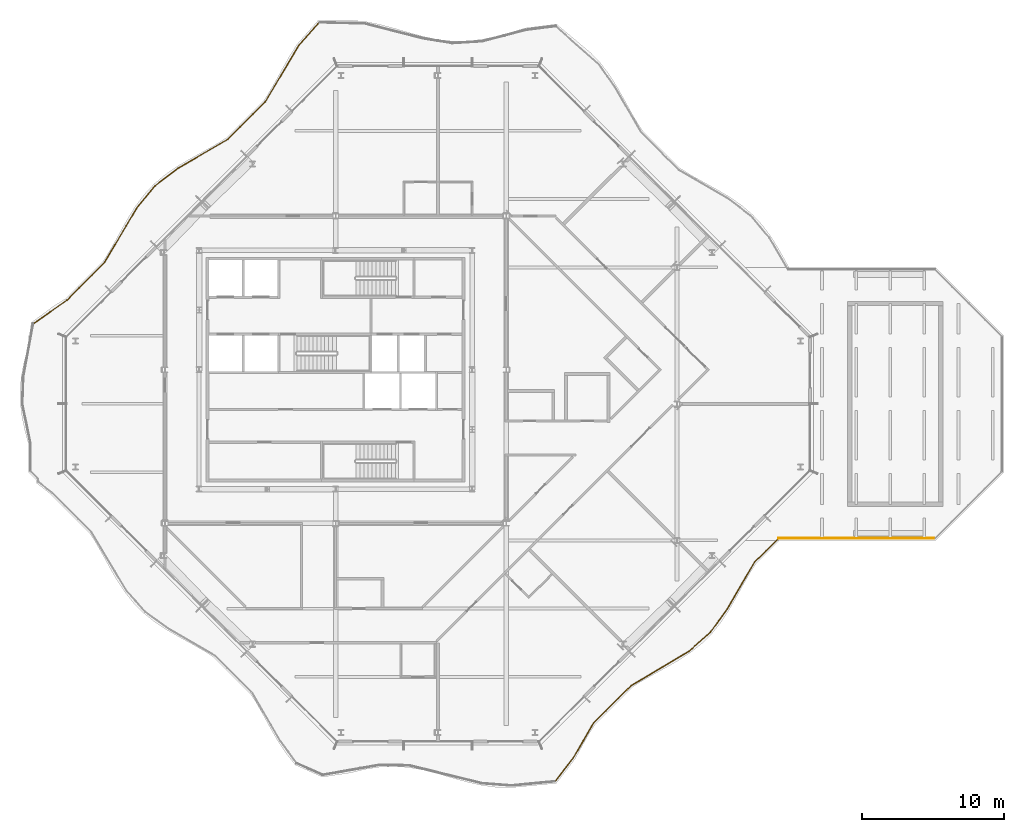
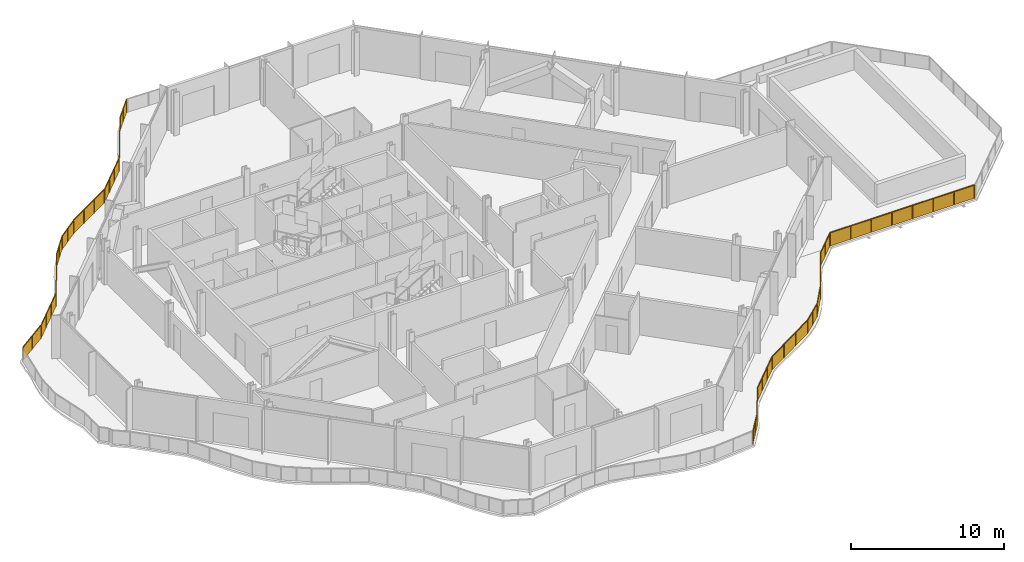
# One storey, part 14 of 16: 3 railings.
"""IFC4 building model written with IfcOpenShell, lengths in metres."""

from ifc_helpers import new_model, si_unit, direction, frame, origin, origin_2d, place, context, subcontext, project, spatial, polyline, rectangle, outline, extrude, material, type_object, element, save


model = new_model("IFC4")

# Units and contexts
model_context = context("Model", 3, precision=1e-05, world=origin(), true_north=direction((0.0, 1.0)))
body_context = subcontext(model_context, "Body", "Model", "MODEL_VIEW")
ifc_project = project(units=[si_unit("LENGTHUNIT", "METRE"), si_unit("AREAUNIT", "SQUARE_METRE"), si_unit("VOLUMEUNIT", "CUBIC_METRE"), si_unit("PLANEANGLEUNIT", "RADIAN"), si_unit("MASSUNIT", "GRAM", prefix="KILO")], contexts=[model_context])

# Site, building, storey
site_placement = place(None, origin())
site = spatial("IfcSite", under=ifc_project, at=site_placement, CompositionType="ELEMENT")
building_placement = place(site_placement, origin())
building = spatial("IfcBuilding", under=site, at=building_placement, Name="Cairn Pilgrim Tower", CompositionType="ELEMENT")
storey_placement = place(building_placement, frame((0.0, 0.0, 267.0)))
storey = spatial("IfcBuildingStorey", under=building, at=storey_placement, Name="L68", CompositionType="ELEMENT", Elevation=267.0)

# Railings
ifc_material = material(Name="Bronze anodised aluminium rail and posts with laminated glass infill", Category="aluminium")
railing_type = type_object("IfcRailingType", Name="BALCONY GUARD 1100", PredefinedType="GUARDRAIL", material=ifc_material)
railing_1_placement = place(storey_placement, frame((6.035400390625, 26.81982421875, 0.0)))
element("IfcRailing", 1, at=railing_1_placement, inside=storey, type_object=railing_type, Name="Balcony guard BG-5", PredefinedType="GUARDRAIL", context=body_context, shape_type="SweptSolid", body=[
    extrude(rectangle(XDim=0.050048828125, YDim=0.050048828125, at=origin_2d()), frame((0.0, 0.0, 1.0751953125), z_axis=(-0.663379553575, -0.748283080056, 0.0), x_axis=(0.748283080056, -0.663379553575, 0.0)), (0.0, 0.0, 1.0), 2.15673828125),
    extrude(rectangle(XDim=0.050048828125, YDim=0.050048828125, at=origin_2d()), frame((-1.4306640625, -1.61376953125, 1.0751953125), z_axis=(-0.509784944753, -0.860301871498, 0.0), x_axis=(0.860301871498, -0.509784944753, 0.0)), (0.0, 0.0, 1.0), 4.603271484375),
    extrude(rectangle(XDim=0.050048828125, YDim=0.050048828125, at=origin_2d()), frame((-3.77734375, -5.573974609375, 1.0751953125), z_axis=(-0.707139409605, -0.707074151262, 0.0), x_axis=(0.707074151262, -0.707139409605, 0.0)), (0.0, 0.0, 1.0), 3.7412109375),
    extrude(rectangle(XDim=0.050048828125, YDim=0.050048828125, at=origin_2d()), frame((-6.4228515625, -8.21923828125, 1.0751953125), z_axis=(-0.864524831158, -0.502590107653, 0.0), x_axis=(0.502590107653, -0.864524831158, 0.0)), (0.0, 0.0, 1.0), 4.0546875),
    extrude(rectangle(XDim=0.050048828125, YDim=0.050048828125, at=origin_2d()), frame((-9.92822265625, -10.257080078125, 1.0751953125), z_axis=(-0.793457200534, -0.608626051793, 0.0), x_axis=(0.608626051793, -0.793457200534, 0.0)), (0.0, 0.0, 1.0), 2.00244140625),
    extrude(rectangle(XDim=0.050048828125, YDim=0.050048828125, at=origin_2d()), frame((-11.51708984375, -11.475830078125, 1.0751953125), z_axis=(-0.64218480462, -0.766549852726, 0.0), x_axis=(0.766549852726, -0.64218480462, 0.0)), (0.0, 0.0, 1.0), 1.990478515625),
    extrude(rectangle(XDim=0.050048828125, YDim=0.050048828125, at=origin_2d()), frame((-12.79541015625, -13.001708984375, 1.0751953125), z_axis=(-0.508455670104, -0.861088167111, 0.0), x_axis=(0.861088167111, -0.508455670104, 0.0)), (0.0, 0.0, 1.0), 4.50927734375),
    extrude(rectangle(XDim=0.050048828125, YDim=0.050048828125, at=origin_2d()), frame((-15.088134765625, -16.884521484375, 1.0751953125), z_axis=(-0.707074247345, -0.707139313531, 0.0), x_axis=(0.707139313531, -0.707074247345, 0.0)), (0.0, 0.0, 1.0), 3.752197265625),
    extrude(rectangle(XDim=0.050048828125, YDim=0.050048828125, at=origin_2d()), frame((-17.7412109375, -19.537841796875, 1.0751953125), z_axis=(-0.819463062562, -0.573131999714, 0.0), x_axis=(0.573131999714, -0.819463062562, 0.0)), (0.0, 0.0, 1.0), 2.82763671875),
    extrude(rectangle(XDim=0.050048828125, YDim=0.050048828125, at=origin_2d()), origin(), (0.0, 0.0, 1.0), 1.050048828125),
    extrude(rectangle(XDim=0.050048828125, YDim=0.050048828125, at=origin_2d()), frame((-0.71533203125, -0.806884765625, 0.0)), (0.0, 0.0, 1.0), 1.050048828125),
    extrude(rectangle(XDim=0.050048828125, YDim=0.050048828125, at=origin_2d()), frame((-1.4306640625, -1.61376953125, 0.0)), (0.0, 0.0, 1.0), 1.050048828125),
    extrude(rectangle(XDim=0.050048828125, YDim=0.050048828125, at=origin_2d()), frame((-2.212890625, -2.933837890625, 0.0)), (0.0, 0.0, 1.0), 1.050048828125),
    extrude(rectangle(XDim=0.050048828125, YDim=0.050048828125, at=origin_2d()), frame((-2.9951171875, -4.25390625, 0.0)), (0.0, 0.0, 1.0), 1.050048828125),
    extrude(rectangle(XDim=0.050048828125, YDim=0.050048828125, at=origin_2d()), frame((-3.77734375, -5.573974609375, 0.0)), (0.0, 0.0, 1.0), 1.050048828125),
    extrude(rectangle(XDim=0.050048828125, YDim=0.050048828125, at=origin_2d()), frame((-4.6591796875, -6.455810546875, 0.0)), (0.0, 0.0, 1.0), 1.050048828125),
    extrude(rectangle(XDim=0.050048828125, YDim=0.050048828125, at=origin_2d()), frame((-5.541015625, -7.33740234375, 0.0)), (0.0, 0.0, 1.0), 1.050048828125),
    extrude(rectangle(XDim=0.050048828125, YDim=0.050048828125, at=origin_2d()), frame((-6.4228515625, -8.21923828125, 0.0)), (0.0, 0.0, 1.0), 1.050048828125),
    extrude(rectangle(XDim=0.050048828125, YDim=0.050048828125, at=origin_2d()), frame((-7.59130859375, -8.8984375, 0.0)), (0.0, 0.0, 1.0), 1.050048828125),
    extrude(rectangle(XDim=0.050048828125, YDim=0.050048828125, at=origin_2d()), frame((-8.759765625, -9.577880859375, 0.0)), (0.0, 0.0, 1.0), 1.050048828125),
    extrude(rectangle(XDim=0.050048828125, YDim=0.050048828125, at=origin_2d()), frame((-9.92822265625, -10.257080078125, 0.0)), (0.0, 0.0, 1.0), 1.050048828125),
    extrude(rectangle(XDim=0.050048828125, YDim=0.050048828125, at=origin_2d()), frame((-10.72265625, -10.866455078125, 0.0)), (0.0, 0.0, 1.0), 1.050048828125),
    extrude(rectangle(XDim=0.050048828125, YDim=0.050048828125, at=origin_2d()), frame((-11.51708984375, -11.475830078125, 0.0)), (0.0, 0.0, 1.0), 1.050048828125),
    extrude(rectangle(XDim=0.050048828125, YDim=0.050048828125, at=origin_2d()), frame((-12.15625, -12.23876953125, 0.0)), (0.0, 0.0, 1.0), 1.050048828125),
    extrude(rectangle(XDim=0.050048828125, YDim=0.050048828125, at=origin_2d()), frame((-12.79541015625, -13.001708984375, 0.0)), (0.0, 0.0, 1.0), 1.050048828125),
    extrude(rectangle(XDim=0.050048828125, YDim=0.050048828125, at=origin_2d()), frame((-13.5595703125, -14.2958984375, 0.0)), (0.0, 0.0, 1.0), 1.050048828125),
    extrude(rectangle(XDim=0.050048828125, YDim=0.050048828125, at=origin_2d()), frame((-14.323974609375, -15.59033203125, 0.0)), (0.0, 0.0, 1.0), 1.050048828125),
    extrude(rectangle(XDim=0.050048828125, YDim=0.050048828125, at=origin_2d()), frame((-15.088134765625, -16.884521484375, 0.0)), (0.0, 0.0, 1.0), 1.050048828125),
    extrude(rectangle(XDim=0.050048828125, YDim=0.050048828125, at=origin_2d()), frame((-15.972412109375, -17.76904296875, 0.0)), (0.0, 0.0, 1.0), 1.050048828125),
    extrude(rectangle(XDim=0.050048828125, YDim=0.050048828125, at=origin_2d()), frame((-16.85693359375, -18.6533203125, 0.0)), (0.0, 0.0, 1.0), 1.050048828125),
    extrude(rectangle(XDim=0.050048828125, YDim=0.050048828125, at=origin_2d()), frame((-17.7412109375, -19.537841796875, 0.0)), (0.0, 0.0, 1.0), 1.050048828125),
    extrude(rectangle(XDim=0.050048828125, YDim=0.050048828125, at=origin_2d()), frame((-18.89990234375, -20.34814453125, 0.0)), (0.0, 0.0, 1.0), 1.050048828125),
    extrude(rectangle(XDim=0.050048828125, YDim=0.050048828125, at=origin_2d()), frame((-20.058349609375, -21.158447265625, 0.0)), (0.0, 0.0, 1.0), 1.050048828125),
    extrude(outline(polyline([(0.02490234375, 0.0), (1.05322265625, 0.0), (1.05322265625, 1.050048828125), (0.02490234375, 1.050048828125), (0.02490234375, 0.0)])), frame((0.00439453125, -0.00390625, 0.0), z_axis=(-0.748283080056, 0.663379553575, 0.0), x_axis=(-0.663379553575, -0.748283080056, 0.0)), (0.0, 0.0, 1.0), 0.011962890625),
    extrude(outline(polyline([(0.02490234375, 0.0), (1.05322265625, 0.0), (1.05322265625, 1.050048828125), (0.02490234375, 1.050048828125), (0.02490234375, 0.0)])), frame((-0.7109375, -0.810791015625, 0.0), z_axis=(-0.748283080056, 0.663379553575, 0.0), x_axis=(-0.663379553575, -0.748283080056, 0.0)), (0.0, 0.0, 1.0), 0.011962890625),
    extrude(outline(polyline([(0.02490234375, 0.0), (1.509521484375, 0.0), (1.509521484375, 1.050048828125), (0.02490234375, 1.050048828125), (0.02490234375, 0.0)])), frame((-1.425537109375, -1.61669921875, 0.0), z_axis=(-0.860301871498, 0.509784944753, 0.0), x_axis=(-0.509784944753, -0.860301871498, 0.0)), (0.0, 0.0, 1.0), 0.011962890625),
    extrude(outline(polyline([(0.02490234375, 0.0), (1.509521484375, 0.0), (1.509521484375, 1.050048828125), (0.02490234375, 1.050048828125), (0.02490234375, 0.0)])), frame((-2.207763671875, -2.936767578125, 0.0), z_axis=(-0.860301871498, 0.509784944753, 0.0), x_axis=(-0.509784944753, -0.860301871498, 0.0)), (0.0, 0.0, 1.0), 0.011962890625),
    extrude(outline(polyline([(0.02490234375, 0.0), (1.509521484375, 0.0), (1.509521484375, 1.050048828125), (0.02490234375, 1.050048828125), (0.02490234375, 0.0)])), frame((-2.989990234375, -4.2568359375, 0.0), z_axis=(-0.860301871498, 0.509784944753, 0.0), x_axis=(-0.509784944753, -0.860301871498, 0.0)), (0.0, 0.0, 1.0), 0.011962890625),
    extrude(outline(polyline([(0.02490234375, 0.0), (1.221923828125, 0.0), (1.221923828125, 1.050048828125), (0.02490234375, 1.050048828125), (0.02490234375, 0.0)])), frame((-3.773193359375, -5.578125, 0.0), z_axis=(-0.707074151262, 0.707139409605, 0.0), x_axis=(-0.707139409605, -0.707074151262, 0.0)), (0.0, 0.0, 1.0), 0.011962890625),
    extrude(outline(polyline([(0.02490234375, 0.0), (1.221923828125, 0.0), (1.221923828125, 1.050048828125), (0.02490234375, 1.050048828125), (0.02490234375, 0.0)])), frame((-4.655029296875, -6.4599609375, 0.0), z_axis=(-0.707074151262, 0.707139409605, 0.0), x_axis=(-0.707139409605, -0.707074151262, 0.0)), (0.0, 0.0, 1.0), 0.011962890625),
    extrude(outline(polyline([(0.02490234375, 0.0), (1.221923828125, 0.0), (1.221923828125, 1.050048828125), (0.02490234375, 1.050048828125), (0.02490234375, 0.0)])), frame((-5.536865234375, -7.341796875, 0.0), z_axis=(-0.707074151262, 0.707139409605, 0.0), x_axis=(-0.707139409605, -0.707074151262, 0.0)), (0.0, 0.0, 1.0), 0.011962890625),
    extrude(outline(polyline([(0.02490234375, 0.0), (1.326416015625, 0.0), (1.326416015625, 1.050048828125), (0.02490234375, 1.050048828125), (0.02490234375, 0.0)])), frame((-6.419921875, -8.224365234375, 0.0), z_axis=(-0.502590107653, 0.864524831158, 0.0), x_axis=(-0.864524831158, -0.502590107653, 0.0)), (0.0, 0.0, 1.0), 0.011962890625),
    extrude(outline(polyline([(0.02490234375, 0.0), (1.326416015625, 0.0), (1.326416015625, 1.050048828125), (0.02490234375, 1.050048828125), (0.02490234375, 0.0)])), frame((-7.58837890625, -8.90380859375, 0.0), z_axis=(-0.502590107653, 0.864524831158, 0.0), x_axis=(-0.864524831158, -0.502590107653, 0.0)), (0.0, 0.0, 1.0), 0.011962890625),
    extrude(outline(polyline([(0.02490234375, 0.0), (1.326416015625, 0.0), (1.326416015625, 1.050048828125), (0.02490234375, 1.050048828125), (0.02490234375, 0.0)])), frame((-8.7568359375, -9.5830078125, 0.0), z_axis=(-0.502590107653, 0.864524831158, 0.0), x_axis=(-0.864524831158, -0.502590107653, 0.0)), (0.0, 0.0, 1.0), 0.011962890625),
    extrude(outline(polyline([(0.02490234375, 0.0), (0.976318359375, 0.0), (0.976318359375, 1.050048828125), (0.02490234375, 1.050048828125), (0.02490234375, 0.0)])), frame((-9.924560546875, -10.26171875, 0.0), z_axis=(-0.608626051793, 0.793457200534, 0.0), x_axis=(-0.793457200534, -0.608626051793, 0.0)), (0.0, 0.0, 1.0), 0.011962890625),
    extrude(outline(polyline([(0.02490234375, 0.0), (0.976318359375, 0.0), (0.976318359375, 1.050048828125), (0.02490234375, 1.050048828125), (0.02490234375, 0.0)])), frame((-10.718994140625, -10.87109375, 0.0), z_axis=(-0.608626051793, 0.793457200534, 0.0), x_axis=(-0.793457200534, -0.608626051793, 0.0)), (0.0, 0.0, 1.0), 0.011962890625),
    extrude(outline(polyline([(0.02490234375, 0.0), (0.97021484375, 0.0), (0.97021484375, 1.050048828125), (0.02490234375, 1.050048828125), (0.02490234375, 0.0)])), frame((-11.512451171875, -11.479736328125, 0.0), z_axis=(-0.766549852726, 0.64218480462, 0.0), x_axis=(-0.64218480462, -0.766549852726, 0.0)), (0.0, 0.0, 1.0), 0.011962890625),
    extrude(outline(polyline([(0.02490234375, 0.0), (0.97021484375, 0.0), (0.97021484375, 1.050048828125), (0.02490234375, 1.050048828125), (0.02490234375, 0.0)])), frame((-12.151611328125, -12.24267578125, 0.0), z_axis=(-0.766549852726, 0.64218480462, 0.0), x_axis=(-0.64218480462, -0.766549852726, 0.0)), (0.0, 0.0, 1.0), 0.011962890625),
    extrude(outline(polyline([(0.02490234375, 0.0), (1.47802734375, 0.0), (1.47802734375, 1.050048828125), (0.02490234375, 1.050048828125), (0.02490234375, 0.0)])), frame((-12.790283203125, -13.004638671875, 0.0), z_axis=(-0.861088167111, 0.508455670104, 0.0), x_axis=(-0.508455670104, -0.861088167111, 0.0)), (0.0, 0.0, 1.0), 0.011962890625),
    extrude(outline(polyline([(0.02490234375, 0.0), (1.47802734375, 0.0), (1.47802734375, 1.050048828125), (0.02490234375, 1.050048828125), (0.02490234375, 0.0)])), frame((-13.554443359375, -14.299072265625, 0.0), z_axis=(-0.861088167111, 0.508455670104, 0.0), x_axis=(-0.508455670104, -0.861088167111, 0.0)), (0.0, 0.0, 1.0), 0.011962890625),
    extrude(outline(polyline([(0.02490234375, 0.0), (1.47802734375, 0.0), (1.47802734375, 1.050048828125), (0.02490234375, 1.050048828125), (0.02490234375, 0.0)])), frame((-14.31884765625, -15.59326171875, 0.0), z_axis=(-0.861088167111, 0.508455670104, 0.0), x_axis=(-0.508455670104, -0.861088167111, 0.0)), (0.0, 0.0, 1.0), 0.011962890625),
    extrude(outline(polyline([(0.02490234375, 0.0), (1.2255859375, 0.0), (1.2255859375, 1.050048828125), (0.02490234375, 1.050048828125), (0.02490234375, 0.0)])), frame((-15.083984375, -16.888671875, 0.0), z_axis=(-0.707139313531, 0.707074247345, 0.0), x_axis=(-0.707074247345, -0.707139313531, 0.0)), (0.0, 0.0, 1.0), 0.011962890625),
    extrude(outline(polyline([(0.02490234375, 0.0), (1.2255859375, 0.0), (1.2255859375, 1.050048828125), (0.02490234375, 1.050048828125), (0.02490234375, 0.0)])), frame((-15.96826171875, -17.773193359375, 0.0), z_axis=(-0.707139313531, 0.707074247345, 0.0), x_axis=(-0.707074247345, -0.707139313531, 0.0)), (0.0, 0.0, 1.0), 0.011962890625),
    extrude(outline(polyline([(0.02490234375, 0.0), (1.2255859375, 0.0), (1.2255859375, 1.050048828125), (0.02490234375, 1.050048828125), (0.02490234375, 0.0)])), frame((-16.8525390625, -18.65771484375, 0.0), z_axis=(-0.707139313531, 0.707074247345, 0.0), x_axis=(-0.707074247345, -0.707139313531, 0.0)), (0.0, 0.0, 1.0), 0.011962890625),
    extrude(outline(polyline([(0.02490234375, 0.0), (1.388671875, 0.0), (1.388671875, 1.050048828125), (0.02490234375, 1.050048828125), (0.02490234375, 0.0)])), frame((-17.73779296875, -19.542724609375, 0.0), z_axis=(-0.573131999714, 0.819463062562, 0.0), x_axis=(-0.819463062562, -0.573131999714, 0.0)), (0.0, 0.0, 1.0), 0.011962890625),
    extrude(outline(polyline([(0.02490234375, 0.0), (1.388671875, 0.0), (1.388671875, 1.050048828125), (0.02490234375, 1.050048828125), (0.02490234375, 0.0)])), frame((-18.896240234375, -20.35302734375, 0.0), z_axis=(-0.573131999714, 0.819463062562, 0.0), x_axis=(-0.819463062562, -0.573131999714, 0.0)), (0.0, 0.0, 1.0), 0.011962890625),
])
railing_2_placement = place(storey_placement, frame((22.6357421875, -26.547607421875, 0.0)))
element("IfcRailing", 2, at=railing_2_placement, inside=storey, type_object=railing_type, Name="Balcony guard BG-12", PredefinedType="GUARDRAIL", context=body_context, shape_type="SweptSolid", body=[
    extrude(rectangle(XDim=0.050048828125, YDim=0.050048828125, at=origin_2d()), frame((0.0, 0.0, 1.0751953125), z_axis=(0.61312068773, 0.789989254533, 0.0), x_axis=(-0.789989254533, 0.61312068773, 0.0)), (0.0, 0.0, 1.0), 2.062255859375),
    extrude(rectangle(XDim=0.050048828125, YDim=0.050048828125, at=origin_2d()), frame((1.264404296875, 1.629150390625, 1.0751953125), z_axis=(0.50278420728, 0.864411962498, 0.0), x_axis=(-0.864411962498, 0.50278420728, 0.0)), (0.0, 0.0, 1.0), 2.850341796875),
    extrude(rectangle(XDim=0.050048828125, YDim=0.050048828125, at=origin_2d()), frame((2.697509765625, 4.093017578125, 1.0751953125), z_axis=(0.707139566942, 0.707073993911, 0.0), x_axis=(-0.707073993911, 0.707139566942, 0.0)), (0.0, 0.0, 1.0), 3.72314453125),
    extrude(rectangle(XDim=0.050048828125, YDim=0.050048828125, at=origin_2d()), frame((5.330322265625, 6.7255859375, 1.0751953125), z_axis=(0.858886500229, 0.512165968924, 0.0), x_axis=(-0.512165968924, 0.858886500229, 0.0)), (0.0, 0.0, 1.0), 4.781005859375),
    extrude(rectangle(XDim=0.050048828125, YDim=0.050048828125, at=origin_2d()), frame((9.436767578125, 9.17431640625, 1.0751953125), z_axis=(0.747470411445, 0.664295103109, 0.0), x_axis=(-0.664295103109, 0.747470411445, 0.0)), (0.0, 0.0, 1.0), 1.984130859375),
    extrude(rectangle(XDim=0.050048828125, YDim=0.050048828125, at=origin_2d()), frame((10.919921875, 10.492431640625, 1.0751953125), z_axis=(0.588113991656, 0.808778049169, 0.0), x_axis=(-0.808778049169, 0.588113991656, 0.0)), (0.0, 0.0, 1.0), 2.012451171875),
    extrude(rectangle(XDim=0.050048828125, YDim=0.050048828125, at=origin_2d()), frame((12.103515625, 12.1201171875, 1.0751953125), z_axis=(0.502451048399, 0.864605658068, 0.0), x_axis=(-0.864605658068, 0.502451048399, 0.0)), (0.0, 0.0, 1.0), 3.8076171875),
    extrude(rectangle(XDim=0.050048828125, YDim=0.050048828125, at=origin_2d()), frame((14.0166015625, 15.412109375, 1.0751953125), z_axis=(0.707106781187, 0.707106781187, 0.0), x_axis=(-0.707106781187, 0.707106781187, 0.0)), (0.0, 0.0, 1.0), 2.32373046875),
    extrude(rectangle(XDim=0.050048828125, YDim=0.050048828125, at=origin_2d()), origin(), (0.0, 0.0, 1.0), 1.050048828125),
    extrude(rectangle(XDim=0.050048828125, YDim=0.050048828125, at=origin_2d()), frame((0.63232421875, 0.814453125, 0.0)), (0.0, 0.0, 1.0), 1.050048828125),
    extrude(rectangle(XDim=0.050048828125, YDim=0.050048828125, at=origin_2d()), frame((1.264404296875, 1.629150390625, 0.0)), (0.0, 0.0, 1.0), 1.050048828125),
    extrude(rectangle(XDim=0.050048828125, YDim=0.050048828125, at=origin_2d()), frame((1.98095703125, 2.861083984375, 0.0)), (0.0, 0.0, 1.0), 1.050048828125),
    extrude(rectangle(XDim=0.050048828125, YDim=0.050048828125, at=origin_2d()), frame((2.697509765625, 4.093017578125, 0.0)), (0.0, 0.0, 1.0), 1.050048828125),
    extrude(rectangle(XDim=0.050048828125, YDim=0.050048828125, at=origin_2d()), frame((3.5751953125, 4.970458984375, 0.0)), (0.0, 0.0, 1.0), 1.050048828125),
    extrude(rectangle(XDim=0.050048828125, YDim=0.050048828125, at=origin_2d()), frame((4.45263671875, 5.84814453125, 0.0)), (0.0, 0.0, 1.0), 1.050048828125),
    extrude(rectangle(XDim=0.050048828125, YDim=0.050048828125, at=origin_2d()), frame((5.330322265625, 6.7255859375, 0.0)), (0.0, 0.0, 1.0), 1.050048828125),
    extrude(rectangle(XDim=0.050048828125, YDim=0.050048828125, at=origin_2d()), frame((6.69921875, 7.541748046875, 0.0)), (0.0, 0.0, 1.0), 1.050048828125),
    extrude(rectangle(XDim=0.050048828125, YDim=0.050048828125, at=origin_2d()), frame((8.06787109375, 8.358154296875, 0.0)), (0.0, 0.0, 1.0), 1.050048828125),
    extrude(rectangle(XDim=0.050048828125, YDim=0.050048828125, at=origin_2d()), frame((9.436767578125, 9.17431640625, 0.0)), (0.0, 0.0, 1.0), 1.050048828125),
    extrude(rectangle(XDim=0.050048828125, YDim=0.050048828125, at=origin_2d()), frame((10.17822265625, 9.83349609375, 0.0)), (0.0, 0.0, 1.0), 1.050048828125),
    extrude(rectangle(XDim=0.050048828125, YDim=0.050048828125, at=origin_2d()), frame((10.919921875, 10.492431640625, 0.0)), (0.0, 0.0, 1.0), 1.050048828125),
    extrude(rectangle(XDim=0.050048828125, YDim=0.050048828125, at=origin_2d()), frame((11.51171875, 11.30615234375, 0.0)), (0.0, 0.0, 1.0), 1.050048828125),
    extrude(rectangle(XDim=0.050048828125, YDim=0.050048828125, at=origin_2d()), frame((12.103515625, 12.1201171875, 0.0)), (0.0, 0.0, 1.0), 1.050048828125),
    extrude(rectangle(XDim=0.050048828125, YDim=0.050048828125, at=origin_2d()), frame((12.7412109375, 13.217529296875, 0.0)), (0.0, 0.0, 1.0), 1.050048828125),
    extrude(rectangle(XDim=0.050048828125, YDim=0.050048828125, at=origin_2d()), frame((13.37890625, 14.314697265625, 0.0)), (0.0, 0.0, 1.0), 1.050048828125),
    extrude(rectangle(XDim=0.050048828125, YDim=0.050048828125, at=origin_2d()), frame((14.0166015625, 15.412109375, 0.0)), (0.0, 0.0, 1.0), 1.050048828125),
    extrude(rectangle(XDim=0.050048828125, YDim=0.050048828125, at=origin_2d()), frame((14.838134765625, 16.233642578125, 0.0)), (0.0, 0.0, 1.0), 1.050048828125),
    extrude(rectangle(XDim=0.050048828125, YDim=0.050048828125, at=origin_2d()), frame((15.65966796875, 17.05517578125, 0.0)), (0.0, 0.0, 1.0), 1.050048828125),
    extrude(outline(polyline([(0.02490234375, 0.0), (1.006103515625, 0.0), (1.006103515625, 1.050048828125), (0.02490234375, 1.050048828125), (0.02490234375, 0.0)])), frame((-0.004638671875, 0.003662109375, 0.0), z_axis=(0.789989254533, -0.61312068773, 0.0), x_axis=(0.61312068773, 0.789989254533, 0.0)), (0.0, 0.0, 1.0), 0.011962890625),
    extrude(outline(polyline([(0.02490234375, 0.0), (1.006103515625, 0.0), (1.006103515625, 1.050048828125), (0.02490234375, 1.050048828125), (0.02490234375, 0.0)])), frame((0.62744140625, 0.818359375, 0.0), z_axis=(0.789989254533, -0.61312068773, 0.0), x_axis=(0.61312068773, 0.789989254533, 0.0)), (0.0, 0.0, 1.0), 0.011962890625),
    extrude(outline(polyline([(0.02490234375, 0.0), (1.400146484375, 0.0), (1.400146484375, 1.050048828125), (0.02490234375, 1.050048828125), (0.02490234375, 0.0)])), frame((1.25927734375, 1.632080078125, 0.0), z_axis=(0.864411962498, -0.50278420728, 0.0), x_axis=(0.50278420728, 0.864411962498, 0.0)), (0.0, 0.0, 1.0), 0.011962890625),
    extrude(outline(polyline([(0.02490234375, 0.0), (1.400146484375, 0.0), (1.400146484375, 1.050048828125), (0.02490234375, 1.050048828125), (0.02490234375, 0.0)])), frame((1.975830078125, 2.864013671875, 0.0), z_axis=(0.864411962498, -0.50278420728, 0.0), x_axis=(0.50278420728, 0.864411962498, 0.0)), (0.0, 0.0, 1.0), 0.011962890625),
    extrude(outline(polyline([(0.02490234375, 0.0), (1.216064453125, 0.0), (1.216064453125, 1.050048828125), (0.02490234375, 1.050048828125), (0.02490234375, 0.0)])), frame((2.693359375, 4.09716796875, 0.0), z_axis=(0.707073993911, -0.707139566942, 0.0), x_axis=(0.707139566942, 0.707073993911, 0.0)), (0.0, 0.0, 1.0), 0.011962890625),
    extrude(outline(polyline([(0.02490234375, 0.0), (1.216064453125, 0.0), (1.216064453125, 1.050048828125), (0.02490234375, 1.050048828125), (0.02490234375, 0.0)])), frame((3.57080078125, 4.974853515625, 0.0), z_axis=(0.707073993911, -0.707139566942, 0.0), x_axis=(0.707139566942, 0.707073993911, 0.0)), (0.0, 0.0, 1.0), 0.011962890625),
    extrude(outline(polyline([(0.02490234375, 0.0), (1.216064453125, 0.0), (1.216064453125, 1.050048828125), (0.02490234375, 1.050048828125), (0.02490234375, 0.0)])), frame((4.448486328125, 5.852294921875, 0.0), z_axis=(0.707073993911, -0.707139566942, 0.0), x_axis=(0.707139566942, 0.707073993911, 0.0)), (0.0, 0.0, 1.0), 0.011962890625),
    extrude(outline(polyline([(0.02490234375, 0.0), (1.568603515625, 0.0), (1.568603515625, 1.050048828125), (0.02490234375, 1.050048828125), (0.02490234375, 0.0)])), frame((5.3271484375, 6.730712890625, 0.0), z_axis=(0.512165968924, -0.858886500229, 0.0), x_axis=(0.858886500229, 0.512165968924, 0.0)), (0.0, 0.0, 1.0), 0.011962890625),
    extrude(outline(polyline([(0.02490234375, 0.0), (1.568603515625, 0.0), (1.568603515625, 1.050048828125), (0.02490234375, 1.050048828125), (0.02490234375, 0.0)])), frame((6.696044921875, 7.546875, 0.0), z_axis=(0.512165968924, -0.858886500229, 0.0), x_axis=(0.858886500229, 0.512165968924, 0.0)), (0.0, 0.0, 1.0), 0.011962890625),
    extrude(outline(polyline([(0.02490234375, 0.0), (1.568603515625, 0.0), (1.568603515625, 1.050048828125), (0.02490234375, 1.050048828125), (0.02490234375, 0.0)])), frame((8.06494140625, 8.36328125, 0.0), z_axis=(0.512165968924, -0.858886500229, 0.0), x_axis=(0.858886500229, 0.512165968924, 0.0)), (0.0, 0.0, 1.0), 0.011962890625),
    extrude(outline(polyline([(0.02490234375, 0.0), (0.967041015625, 0.0), (0.967041015625, 1.050048828125), (0.02490234375, 1.050048828125), (0.02490234375, 0.0)])), frame((9.432861328125, 9.1787109375, 0.0), z_axis=(0.664295103109, -0.747470411445, 0.0), x_axis=(0.747470411445, 0.664295103109, 0.0)), (0.0, 0.0, 1.0), 0.011962890625),
    extrude(outline(polyline([(0.02490234375, 0.0), (0.967041015625, 0.0), (0.967041015625, 1.050048828125), (0.02490234375, 1.050048828125), (0.02490234375, 0.0)])), frame((10.17431640625, 9.837890625, 0.0), z_axis=(0.664295103109, -0.747470411445, 0.0), x_axis=(0.747470411445, 0.664295103109, 0.0)), (0.0, 0.0, 1.0), 0.011962890625),
    extrude(outline(polyline([(0.02490234375, 0.0), (0.981201171875, 0.0), (0.981201171875, 1.050048828125), (0.02490234375, 1.050048828125), (0.02490234375, 0.0)])), frame((10.9150390625, 10.495849609375, 0.0), z_axis=(0.808778049169, -0.588113991656, 0.0), x_axis=(0.588113991656, 0.808778049169, 0.0)), (0.0, 0.0, 1.0), 0.011962890625),
    extrude(outline(polyline([(0.02490234375, 0.0), (0.981201171875, 0.0), (0.981201171875, 1.050048828125), (0.02490234375, 1.050048828125), (0.02490234375, 0.0)])), frame((11.5068359375, 11.309814453125, 0.0), z_axis=(0.808778049169, -0.588113991656, 0.0), x_axis=(0.588113991656, 0.808778049169, 0.0)), (0.0, 0.0, 1.0), 0.011962890625),
    extrude(outline(polyline([(0.02490234375, 0.0), (1.244140625, 0.0), (1.244140625, 1.050048828125), (0.02490234375, 1.050048828125), (0.02490234375, 0.0)])), frame((12.098388671875, 12.123046875, 0.0), z_axis=(0.864605658068, -0.502451048399, 0.0), x_axis=(0.502451048399, 0.864605658068, 0.0)), (0.0, 0.0, 1.0), 0.011962890625),
    extrude(outline(polyline([(0.02490234375, 0.0), (1.244140625, 0.0), (1.244140625, 1.050048828125), (0.02490234375, 1.050048828125), (0.02490234375, 0.0)])), frame((12.736083984375, 13.220458984375, 0.0), z_axis=(0.864605658068, -0.502451048399, 0.0), x_axis=(0.502451048399, 0.864605658068, 0.0)), (0.0, 0.0, 1.0), 0.011962890625),
    extrude(outline(polyline([(0.02490234375, 0.0), (1.244140625, 0.0), (1.244140625, 1.050048828125), (0.02490234375, 1.050048828125), (0.02490234375, 0.0)])), frame((13.373779296875, 14.31787109375, 0.0), z_axis=(0.864605658068, -0.502451048399, 0.0), x_axis=(0.502451048399, 0.864605658068, 0.0)), (0.0, 0.0, 1.0), 0.011962890625),
    extrude(outline(polyline([(0.02490234375, 0.0), (1.13671875, 0.0), (1.13671875, 1.050048828125), (0.02490234375, 1.050048828125), (0.02490234375, 0.0)])), frame((14.012451171875, 15.416259765625, 0.0), z_axis=(0.707106781187, -0.707106781187, 0.0), x_axis=(0.707106781187, 0.707106781187, 0.0)), (0.0, 0.0, 1.0), 0.011962890625),
    extrude(outline(polyline([(0.02490234375, 0.0), (1.13671875, 0.0), (1.13671875, 1.050048828125), (0.02490234375, 1.050048828125), (0.02490234375, 0.0)])), frame((14.833984375, 16.23779296875, 0.0), z_axis=(0.707106781187, -0.707106781187, 0.0), x_axis=(0.707106781187, 0.707106781187, 0.0)), (0.0, 0.0, 1.0), 0.011962890625),
])
railing_3_placement = place(storey_placement, frame((38.337890625, -9.449951171875, 0.0)))
element("IfcRailing", 3, at=railing_3_placement, inside=storey, type_object=railing_type, Name="Balcony guard BG-13", PredefinedType="GUARDRAIL", context=body_context, shape_type="SweptSolid", body=[
    extrude(rectangle(XDim=0.050048828125, YDim=0.050048828125, at=origin_2d()), frame((0.0, 0.0, 1.0751953125), z_axis=(1.0, 0.0, 0.0), x_axis=(0.0, 1.0, 0.0)), (0.0, 0.0, 1.0), 10.93994140625),
    extrude(rectangle(XDim=0.050048828125, YDim=0.050048828125, at=origin_2d()), origin(), (0.0, 0.0, 1.0), 1.050048828125),
    extrude(rectangle(XDim=0.050048828125, YDim=0.050048828125, at=origin_2d()), frame((1.562744140625, 0.0, 0.0)), (0.0, 0.0, 1.0), 1.050048828125),
    extrude(rectangle(XDim=0.050048828125, YDim=0.050048828125, at=origin_2d()), frame((3.125732421875, 0.0, 0.0)), (0.0, 0.0, 1.0), 1.050048828125),
    extrude(rectangle(XDim=0.050048828125, YDim=0.050048828125, at=origin_2d()), frame((4.6884765625, 0.0, 0.0)), (0.0, 0.0, 1.0), 1.050048828125),
    extrude(rectangle(XDim=0.050048828125, YDim=0.050048828125, at=origin_2d()), frame((6.25146484375, 0.0, 0.0)), (0.0, 0.0, 1.0), 1.050048828125),
    extrude(rectangle(XDim=0.050048828125, YDim=0.050048828125, at=origin_2d()), frame((7.814208984375, 0.0, 0.0)), (0.0, 0.0, 1.0), 1.050048828125),
    extrude(rectangle(XDim=0.050048828125, YDim=0.050048828125, at=origin_2d()), frame((9.377197265625, 0.0, 0.0)), (0.0, 0.0, 1.0), 1.050048828125),
    extrude(rectangle(XDim=0.050048828125, YDim=0.050048828125, at=origin_2d()), frame((10.93994140625, 0.0, 0.0)), (0.0, 0.0, 1.0), 1.050048828125),
    extrude(outline(polyline([(0.02490234375, 0.0), (1.537841796875, 0.0), (1.537841796875, 1.050048828125), (0.02490234375, 1.050048828125), (0.02490234375, 0.0)])), frame((0.0, 0.005859375, 0.0), z_axis=(0.0, -1.0, 0.0), x_axis=(1.0, 0.0, 0.0)), (0.0, 0.0, 1.0), 0.011962890625),
    extrude(outline(polyline([(0.02490234375, 0.0), (1.537841796875, 0.0), (1.537841796875, 1.050048828125), (0.02490234375, 1.050048828125), (0.02490234375, 0.0)])), frame((1.562744140625, 0.005859375, 0.0), z_axis=(0.0, -1.0, 0.0), x_axis=(1.0, 0.0, 0.0)), (0.0, 0.0, 1.0), 0.011962890625),
    extrude(outline(polyline([(0.02490234375, 0.0), (1.537841796875, 0.0), (1.537841796875, 1.050048828125), (0.02490234375, 1.050048828125), (0.02490234375, 0.0)])), frame((3.125732421875, 0.005859375, 0.0), z_axis=(0.0, -1.0, 0.0), x_axis=(1.0, 0.0, 0.0)), (0.0, 0.0, 1.0), 0.011962890625),
    extrude(outline(polyline([(0.02490234375, 0.0), (1.537841796875, 0.0), (1.537841796875, 1.050048828125), (0.02490234375, 1.050048828125), (0.02490234375, 0.0)])), frame((4.6884765625, 0.005859375, 0.0), z_axis=(0.0, -1.0, 0.0), x_axis=(1.0, 0.0, 0.0)), (0.0, 0.0, 1.0), 0.011962890625),
    extrude(outline(polyline([(0.02490234375, 0.0), (1.537841796875, 0.0), (1.537841796875, 1.050048828125), (0.02490234375, 1.050048828125), (0.02490234375, 0.0)])), frame((6.25146484375, 0.005859375, 0.0), z_axis=(0.0, -1.0, 0.0), x_axis=(1.0, 0.0, 0.0)), (0.0, 0.0, 1.0), 0.011962890625),
    extrude(outline(polyline([(0.02490234375, 0.0), (1.537841796875, 0.0), (1.537841796875, 1.050048828125), (0.02490234375, 1.050048828125), (0.02490234375, 0.0)])), frame((7.814208984375, 0.005859375, 0.0), z_axis=(0.0, -1.0, 0.0), x_axis=(1.0, 0.0, 0.0)), (0.0, 0.0, 1.0), 0.011962890625),
    extrude(outline(polyline([(0.02490234375, 0.0), (1.537841796875, 0.0), (1.537841796875, 1.050048828125), (0.02490234375, 1.050048828125), (0.02490234375, 0.0)])), frame((9.377197265625, 0.005859375, 0.0), z_axis=(0.0, -1.0, 0.0), x_axis=(1.0, 0.0, 0.0)), (0.0, 0.0, 1.0), 0.011962890625),
])

save(model, "model.ifc")
